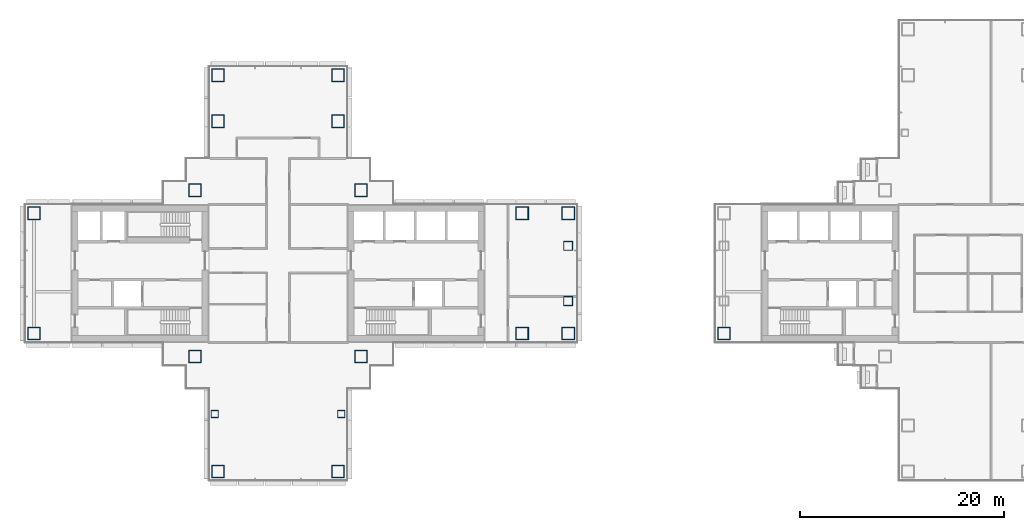
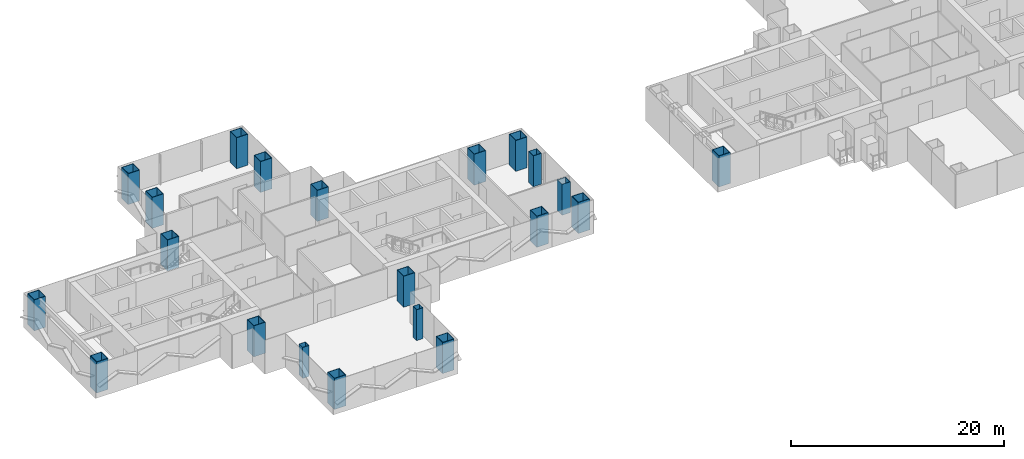
# One storey, part 1 of 19: 21 columns.
"""IFC4 building model written with IfcOpenShell, lengths in metres."""

from ifc_helpers import new_model, si_unit, direction, frame, origin, origin_2d, place, context, subcontext, project, spatial, hollow_rectangle, extrude, material, material_profile, profile_set, type_object, element, save


model = new_model("IFC4")

# Units and contexts
model_context = context("Model", 3, precision=1e-05, world=origin(), true_north=direction((0.0, 1.0)))
body_context = subcontext(model_context, "Body", "Model", "MODEL_VIEW")
ifc_project = project(units=[si_unit("LENGTHUNIT", "METRE"), si_unit("AREAUNIT", "SQUARE_METRE"), si_unit("VOLUMEUNIT", "CUBIC_METRE"), si_unit("PLANEANGLEUNIT", "RADIAN"), si_unit("MASSUNIT", "GRAM", prefix="KILO")], contexts=[model_context])

# Site, building, storey
site_placement = place(None, origin())
site = spatial("IfcSite", under=ifc_project, at=site_placement, CompositionType="ELEMENT")
building_placement = place(site_placement, origin())
building = spatial("IfcBuilding", under=site, at=building_placement, Name="Shamsa Quay Exchange Towers", CompositionType="ELEMENT")
storey_placement = place(building_placement, frame((0.0, 0.0, 97.5)))
storey = spatial("IfcBuildingStorey", under=building, at=storey_placement, Name="L22", CompositionType="ELEMENT", Elevation=97.5)

# Columns
ifc_material_1 = material(Name="Concrete-filled steel tube S355 / C80/95", Category="concrete")
ifc_material_profile_1 = material_profile(ifc_material_1, hollow_rectangle(XDim=1.25, YDim=1.25, WallThickness=0.050048828125, at=origin_2d()), Name="CFT 1250x1250x50")
ifc_profile_set_1 = profile_set([ifc_material_profile_1], Name="Concrete-filled steel tube S355 / C80/95")
column_type_1 = type_object("IfcColumnType", Name="Column CFT 1250x1250x50", PredefinedType="COLUMN", material=ifc_profile_set_1)
for number, where, name in (
    (1, (-25.625, 8.125, 0.0), "Mega column T1-CM01"),
    (2, (-25.625, -8.125, 0.0), "Mega column T1-CM02"),
    (3, (-41.875, 8.125, 0.0), "Mega column T1-CM03"),
    (4, (-41.875, -8.125, 0.0), "Mega column T1-CM04"),
    (5, (-9.875, -5.875, 0.0), "Mega column T1-CM05"),
    (6, (-5.375, -5.875, 0.0), "Mega column T1-CM06"),
    (7, (-9.875, 5.875, 0.0), "Mega column T1-CM07"),
    (8, (-5.375, 5.875, 0.0), "Mega column T1-CM08"),
    (9, (-57.625, -5.875, 0.0), "Mega column T1-CM09"),
    (10, (-57.625, 5.875, 0.0), "Mega column T1-CM11"),
    (11, (-39.625, 14.875, 0.0), "Mega column T1-CM13"),
    (12, (-39.625, 19.375, 0.0), "Mega column T1-CM14"),
    (13, (-27.875, 14.875, 0.0), "Mega column T1-CM16"),
    (14, (-27.875, 19.375, 0.0), "Mega column T1-CM17"),
    (15, (-39.625, -19.375, 0.0), "Mega column T1-CM20"),
    (16, (-27.875, -19.375, 0.0), "Mega column T1-CM23"),
    (17, (9.875, -5.875, 0.0), "Mega column T2-CM19"),
):
    element("IfcColumn", number, at=place(storey_placement, frame(where)), inside=storey, type_object=column_type_1, Name=name, PredefinedType="COLUMN", context=body_context, shape_type="SweptSolid", body=[
        extrude(hollow_rectangle(XDim=1.25, YDim=1.25, WallThickness=0.050048828125, at=origin_2d()), origin(), (0.0, 0.0, 1.0), 3.550048828125),
    ])
ifc_material_2 = material(Name="Concrete-filled steel tube S355 / C60/75", Category="concrete")
ifc_material_profile_2 = material_profile(ifc_material_2, hollow_rectangle(XDim=0.699951171875, YDim=0.699951171875, WallThickness=0.02490234375, at=origin_2d()), Name="CFT 700x700x25")
ifc_profile_set_2 = profile_set([ifc_material_profile_2], Name="Concrete-filled steel tube S355 / C60/75")
column_type_2 = type_object("IfcColumnType", Name="Column CFT 700x700x25", PredefinedType="COLUMN", material=ifc_profile_set_2)
for number, where, name in (
    (18, (-39.9375, -13.75, 0.0), "Perimeter column T1-CP19"),
    (19, (-27.5625, -13.75, 0.0), "Perimeter column T1-CP22"),
):
    element("IfcColumn", number, at=place(storey_placement, frame(where)), inside=storey, type_object=column_type_2, Name=name, PredefinedType="COLUMN", context=body_context, shape_type="SweptSolid", body=[
        extrude(hollow_rectangle(XDim=0.699951171875, YDim=0.699951171875, WallThickness=0.02490234375, at=origin_2d()), origin(), (0.0, 0.0, 1.0), 3.550048828125),
    ])
ifc_material_3 = material(Name="Concrete-filled steel tube S355 / C70/85", Category="concrete")
ifc_material_profile_3 = material_profile(ifc_material_3, hollow_rectangle(XDim=0.89990234375, YDim=0.89990234375, WallThickness=0.035888671875, at=origin_2d()), Name="CFT 900x900x36")
ifc_profile_set_3 = profile_set([ifc_material_profile_3], Name="Concrete-filled steel tube S355 / C70/85")
column_type_3 = type_object("IfcColumnType", Name="Landing column CFT 900x900x36", PredefinedType="COLUMN", material=ifc_profile_set_3)
for number, where, name in (
    (20, (-5.375, -2.699951171875, 0.0), "Landing column T1 S"),
    (21, (-5.375, 2.699951171875, 0.0), "Landing column T1 N"),
):
    element("IfcColumn", number, at=place(storey_placement, frame(where)), inside=storey, type_object=column_type_3, Name=name, PredefinedType="COLUMN", context=body_context, shape_type="SweptSolid", body=[
        extrude(hollow_rectangle(XDim=0.89990234375, YDim=0.89990234375, WallThickness=0.035888671875, at=origin_2d()), origin(), (0.0, 0.0, 1.0), 3.550048828125),
    ])

save(model, "model.ifc")
